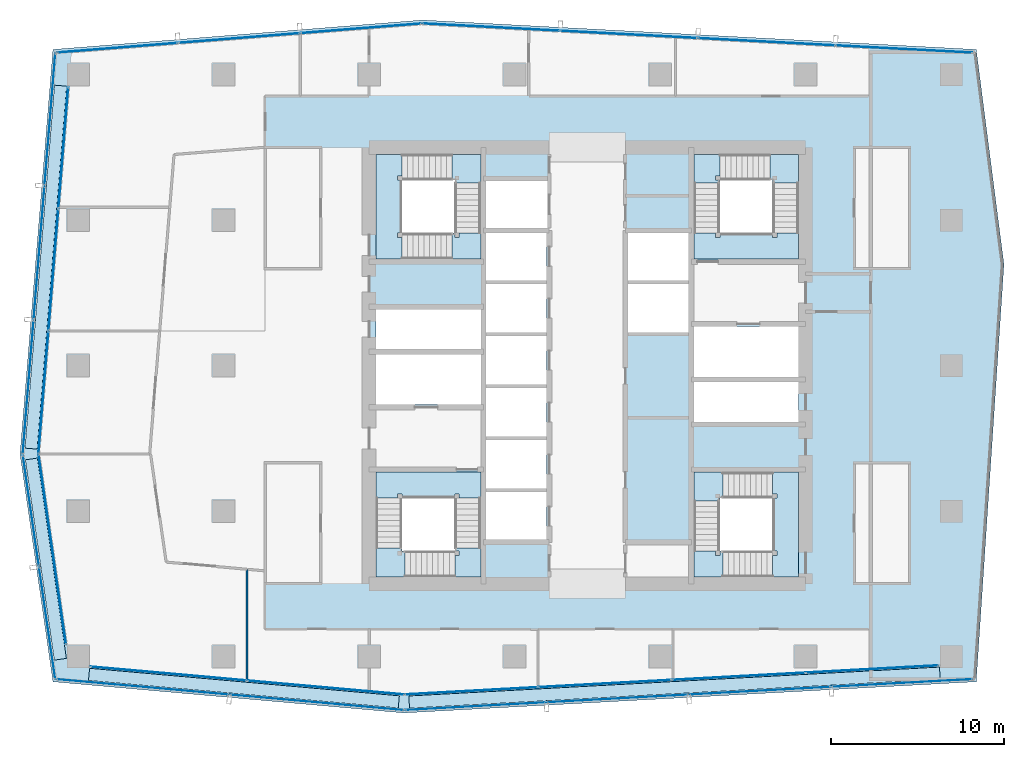
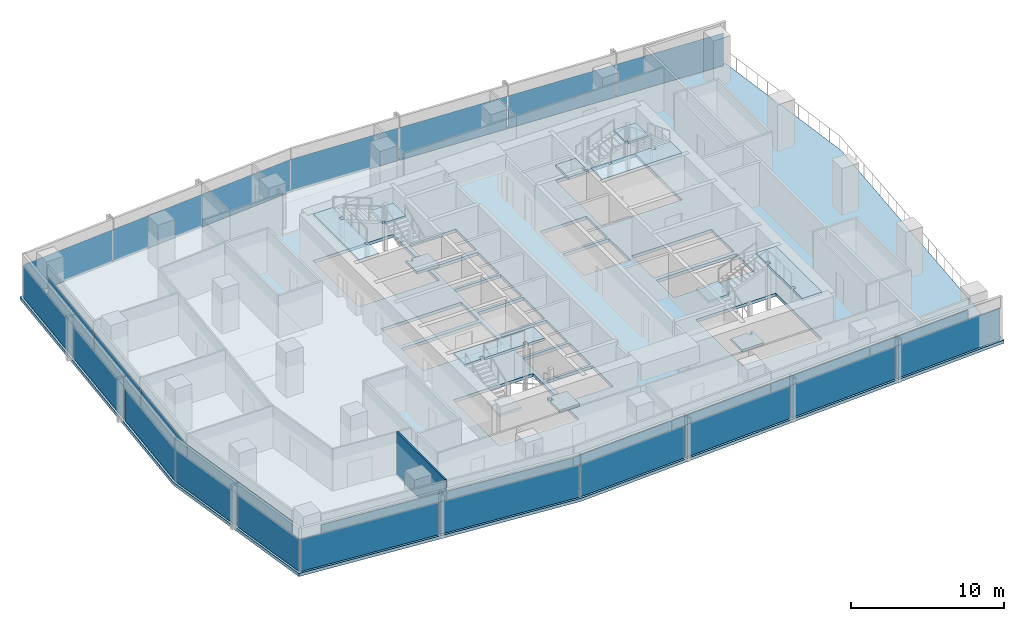
# One storey, part 18 of 26: 32 plates, 13 slabs, 1 wall, 14 elements without a shape of their own.
"""IFC4 building model written with IfcOpenShell, lengths in metres."""

import ifcopenshell
import ifcopenshell.guid

model = None  # the IFC model being written
_history = None  # IfcOwnerHistory: only IFC2X3 demands one
_inside = {}  # id of a spatial element -> (the spatial element, [elements in it])
_under = {}  # id of a project, library or spatial element -> (it, [spatial elements below it])
_declared = {}  # id of a project -> (the project, [libraries it declares])
_typed = {}  # id of a type object -> (the type object, [elements of that type])
_made_of = {}  # id of a material, layer set ... -> (it, [elements and type objects made of it])


def new_model(schema):
    """Start an empty IFC model of exactly this schema.

    Asked for "IFC4X3", IfcOpenShell would pick the latest addendum, in which some entities
    have other attributes; the version numbers below select the first issue.
    IFC2X3 requires an IfcOwnerHistory on every rooted entity: one is made here for all.
    """
    global model, _history
    if schema == "IFC4X3":
        model = ifcopenshell.file(schema_version=(4, 3, 0, 0))
    else:
        model = ifcopenshell.file(schema=schema)
    _inside.clear()
    _under.clear()
    _declared.clear()
    _typed.clear()
    _made_of.clear()
    _history = None
    if model.schema == "IFC2X3":
        org = make("IfcOrganization", Name="unknown")
        user = make(
            "IfcPersonAndOrganization",
            ThePerson=make("IfcPerson", FamilyName="unknown"),
            TheOrganization=org,
        )
        app = make(
            "IfcApplication",
            ApplicationDeveloper=org,
            Version="unknown",
            ApplicationFullName="unknown",
            ApplicationIdentifier="unknown",
        )
        _history = make(
            "IfcOwnerHistory",
            OwningUser=user,
            OwningApplication=app,
            ChangeAction="ADDED",
            CreationDate=0,
        )
    return model


def make(cls, **values):
    """One entity of the class cls with the attributes given. An attribute that is None is left unset."""
    return model.create_entity(
        cls, **{name: value for name, value in values.items() if value is not None}
    )


def rooted(cls, **values):
    """An entity with a GlobalId (a new one), such as an element, a storey or a relation."""
    return make(cls, GlobalId=ifcopenshell.guid.new(), OwnerHistory=_history, **values)


def si_unit(unit_type, name, prefix=None):
    """IfcSIUnit, for example si_unit("LENGTHUNIT", "METRE", prefix="MILLI")."""
    return make("IfcSIUnit", UnitType=unit_type, Prefix=prefix, Name=name)


def assignment(units):
    """IfcUnitAssignment: the units of a project."""
    return None if units is None else make("IfcUnitAssignment", Units=units)


def point(xyz):
    """IfcCartesianPoint."""
    return None if xyz is None else make("IfcCartesianPoint", Coordinates=xyz)


def direction(xyz):
    """IfcDirection."""
    return None if xyz is None else make("IfcDirection", DirectionRatios=xyz)


def frame(location, z_axis=None, x_axis=None):
    """IfcAxis2Placement3D, a coordinate frame: its origin and axes. An axis left out is left unset."""
    return make(
        "IfcAxis2Placement3D",
        Location=point(location),
        Axis=direction(z_axis),
        RefDirection=direction(x_axis),
    )


def frame_2d(location, x_axis=None):
    """IfcAxis2Placement2D, a coordinate frame in the plane: its origin and x axis."""
    return make(
        "IfcAxis2Placement2D", Location=point(location), RefDirection=direction(x_axis)
    )


def origin():
    """The frame at (0, 0, 0) with its axes left unset."""
    return frame((0.0, 0.0, 0.0))


def origin_2d():
    """The frame at (0, 0) in the plane with its x axis left unset."""
    return frame_2d((0.0, 0.0))


def place(relative_to, where):
    """IfcLocalPlacement: puts the frame where relative to a parent placement (None: the world)."""
    return make(
        "IfcLocalPlacement", PlacementRelTo=relative_to, RelativePlacement=where
    )


def context(
    kind, dimensions, precision=None, world=None, true_north=None, identifier=None
):
    """IfcGeometricRepresentationContext, for example the 3D "Model" context."""
    return make(
        "IfcGeometricRepresentationContext",
        ContextIdentifier=identifier,
        ContextType=kind,
        CoordinateSpaceDimension=dimensions,
        Precision=precision,
        WorldCoordinateSystem=world,
        TrueNorth=true_north,
    )


def subcontext(parent, identifier, kind, view, scale=None):
    """IfcGeometricRepresentationSubContext, for example "Body" below "Model"."""
    return make(
        "IfcGeometricRepresentationSubContext",
        ContextIdentifier=identifier,
        ContextType=kind,
        ParentContext=parent,
        TargetScale=scale,
        TargetView=view,
    )


def project(units=None, contexts=None):
    """IfcProject with its units and contexts."""
    return rooted(
        "IfcProject",
        Name="project",
        RepresentationContexts=contexts,
        UnitsInContext=assignment(units),
    )


def spatial(cls, under=None, at=None, **own):
    """A site, building, storey or space (cls), placed at a placement, below another one or the project."""
    s = rooted(cls, ObjectPlacement=at, **own)
    if under is not None:
        _under.setdefault(under.id(), (under, []))[1].append(s)
    return s


def polyline(points):
    """IfcPolyline through the points."""
    return make("IfcPolyline", Points=[point(p) for p in points])


def profile(cls, at=None, kind="AREA", **sizes):
    """A parametric profile (cls). Its sizes go by their IFC names, for example OverallWidth=200.0."""
    return make(cls, ProfileType=kind, Position=at, **sizes)


def rectangle(**sizes):
    """IfcRectangleProfileDef."""
    return profile("IfcRectangleProfileDef", **sizes)


def outline(outer, holes=None, kind="AREA"):
    """IfcArbitraryClosedProfileDef: a profile drawn as a closed curve; with holes, ...WithVoids."""
    if holes is None:
        return make("IfcArbitraryClosedProfileDef", ProfileType=kind, OuterCurve=outer)
    return make(
        "IfcArbitraryProfileDefWithVoids",
        ProfileType=kind,
        OuterCurve=outer,
        InnerCurves=holes,
    )


def extrude(swept, where, along, depth):
    """IfcExtrudedAreaSolid: the profile swept, set in the frame where, extruded along a direction by depth."""
    return make(
        "IfcExtrudedAreaSolid",
        SweptArea=swept,
        Position=where,
        ExtrudedDirection=direction(along),
        Depth=depth,
    )


def shape(context_of_items, identifier, shape_type, items):
    """IfcShapeRepresentation: the items that make up one representation, for example the "Body"."""
    return make(
        "IfcShapeRepresentation",
        ContextOfItems=context_of_items,
        RepresentationIdentifier=identifier,
        RepresentationType=shape_type,
        Items=items,
    )


def material(Name=None, Category=None):
    """IfcMaterial."""
    return make("IfcMaterial", Name=Name, Category=Category)


def layer(
    of_material, thickness, ventilated=None, Name=None, Category=None, Priority=None
):
    """IfcMaterialLayer: one layer of a wall or slab, of a material (None: an air gap)."""
    return make(
        "IfcMaterialLayer",
        Material=of_material,
        LayerThickness=thickness,
        IsVentilated=ventilated,
        Name=Name,
        Category=Category,
        Priority=Priority,
    )


def layer_set(layers, Name=None):
    """IfcMaterialLayerSet."""
    return make("IfcMaterialLayerSet", MaterialLayers=layers, LayerSetName=Name)


def made_of(thing, what):
    """Note that an element or type object is made of a material, layer set ...; save() writes the relation."""
    if what is not None:
        _made_of.setdefault(what.id(), (what, []))[1].append(thing)
    return thing


def type_object(cls, material=None, **own):
    """A type object (cls), such as IfcWallType, which elements share."""
    return made_of(rooted(cls, **own), material)


def element(
    cls,
    number,
    at=None,
    inside=None,
    cuts=None,
    type_object=None,
    material=None,
    context=None,
    identifier="Body",
    shape_type=None,
    held_by="IfcProductDefinitionShape",
    body=None,
    shapes=None,
    **own,
):
    """One element of the class cls, such as IfcWall. Its Tag is "e" and its number.

    at: its placement. inside: the storey or other place that contains it. cuts: it is an
    opening in that element (IfcRelVoidsElement). A single representation is given by context,
    identifier, shape_type and body (its items); several are given by shapes. held_by: the class
    of the entity that holds the representations. save() writes the other relations.
    """
    e = rooted(cls, Tag="e%d" % number, ObjectPlacement=at, **own)
    if body is not None:
        shapes = [shape(context, identifier, shape_type, body)]
    if shapes is not None:
        e.Representation = make(held_by, Representations=shapes)
    if inside is not None:
        _inside.setdefault(inside.id(), (inside, []))[1].append(e)
    if cuts is not None:
        rooted(
            "IfcRelVoidsElement", RelatingBuildingElement=cuts, RelatedOpeningElement=e
        )
    if type_object is not None:
        _typed.setdefault(type_object.id(), (type_object, []))[1].append(e)
    return made_of(e, material)


def aggregate(whole, parts):
    """IfcRelAggregates: a whole, such as a stair, and the parts it consists of."""
    return rooted("IfcRelAggregates", RelatingObject=whole, RelatedObjects=parts)


def save(model, path):
    """Write the relations noted so far, then the file.

    IfcRelAggregates (storeys below a building ...), IfcRelContainedInSpatialStructure (elements
    in a storey), IfcRelDefinesByType, IfcRelAssociatesMaterial and IfcRelDeclares: one each for
    every whole, place, type object, material and project.
    """
    for whole, parts in _under.values():
        aggregate(whole, parts)
    for where, things in _inside.values():
        rooted(
            "IfcRelContainedInSpatialStructure",
            RelatedElements=things,
            RelatingStructure=where,
        )
    for kind, things in _typed.values():
        rooted("IfcRelDefinesByType", RelatedObjects=things, RelatingType=kind)
    for what, things in _made_of.values():
        rooted("IfcRelAssociatesMaterial", RelatedObjects=things, RelatingMaterial=what)
    for by, libraries in _declared.values():
        rooted("IfcRelDeclares", RelatingContext=by, RelatedDefinitions=libraries)
    model.write(path)


model = new_model("IFC4")

# Units and contexts
model_context = context("Model", 3, precision=1e-05, world=origin(), true_north=direction((0.0, 1.0)))
body_context = subcontext(model_context, "Body", "Model", "MODEL_VIEW")
ifc_project = project(units=[si_unit("LENGTHUNIT", "METRE"), si_unit("AREAUNIT", "SQUARE_METRE"), si_unit("VOLUMEUNIT", "CUBIC_METRE"), si_unit("PLANEANGLEUNIT", "RADIAN"), si_unit("MASSUNIT", "GRAM", prefix="KILO")], contexts=[model_context])

# Site, building, storey
site_placement = place(None, origin())
site = spatial("IfcSite", under=ifc_project, at=site_placement, CompositionType="ELEMENT")
building_placement = place(site_placement, origin())
building = spatial("IfcBuilding", under=site, at=building_placement, Name="Rekha Terrace Tower", CompositionType="ELEMENT")
storey_placement = place(building_placement, frame((0.0, 0.0, 283.85009765625)))
storey = spatial("IfcBuildingStorey", under=building, at=storey_placement, Name="L72", CompositionType="ELEMENT", Elevation=283.85009765625)

# Curtain wall, plates
ifc_material_1 = material(Name="Aluminium framing", Category="aluminium")
curtain_wall_type_1 = type_object("IfcCurtainWallType", Name="CW1 double skin inner glazing", PredefinedType="USERDEFINED", material=ifc_material_1)
curtain_wall_1_placement = place(storey_placement, origin())
curtain_wall_1 = element("IfcCurtainWall", 1, at=curtain_wall_1_placement, inside=storey, type_object=curtain_wall_type_1, Name="CW1 double skin inner glazing", ObjectType="DOUBLE SKIN INNER GLAZING", PredefinedType="USERDEFINED")
ifc_material_2 = material(Name="Double-glazed low-e unit 32", Category="glass")
ifc_layer_1 = layer(ifc_material_2, 0.031982421875)
ifc_layer_set_1 = layer_set([ifc_layer_1], Name="Double-glazed low-e unit 32")
plate_type_1 = type_object("IfcPlateType", Name="CW1 jumbo vision panel, double-glazed low-e unit 32", PredefinedType="CURTAIN_PANEL", material=ifc_layer_set_1)
plate_1_placement = place(storey_placement, frame((13.62939453125, 15.820556640625, -0.000244140625), z_axis=(0.0, 0.0, 1.0), x_axis=(0.996074182663, -0.088522441405, 0.0)))
plate_1 = element("IfcPlate", 2, at=plate_1_placement, type_object=plate_type_1, Name="CW1 panel 1.1", PredefinedType="CURTAIN_PANEL", context=body_context, shape_type="SweptSolid", body=[
    extrude(rectangle(XDim=9.010986328125, YDim=0.031982421875, at=origin_2d()), origin(), (0.0, 0.0, 1.0), 2.60009765625),
])
plate_2_placement = place(storey_placement, frame((22.701904296875, 15.01416015625, -0.000244140625), z_axis=(0.0, 0.0, 1.0), x_axis=(0.996074182663, -0.088522441405, 0.0)))
plate_2 = element("IfcPlate", 3, at=plate_2_placement, type_object=plate_type_1, Name="CW1 panel 2.1", PredefinedType="CURTAIN_PANEL", context=body_context, shape_type="SweptSolid", body=[
    extrude(rectangle(XDim=9.075927734375, YDim=0.031982421875, at=origin_2d()), origin(), (0.0, 0.0, 1.0), 2.60009765625),
])
aggregate(curtain_wall_1, [plate_1, plate_2])

curtain_wall_2_placement = place(storey_placement, origin())
curtain_wall_2 = element("IfcCurtainWall", 4, at=curtain_wall_2_placement, inside=storey, type_object=curtain_wall_type_1, Name="CW1 double skin inner glazing", ObjectType="DOUBLE SKIN INNER GLAZING", PredefinedType="USERDEFINED")
plate_3_placement = place(storey_placement, frame((31.101318359375, 14.82373046875, -0.000244140625), z_axis=(0.0, 0.0, 1.0), x_axis=(0.998519828159, 0.054388903036, 0.0)))
plate_3 = element("IfcPlate", 5, at=plate_3_placement, type_object=plate_type_1, Name="CW1 panel 1.1", PredefinedType="CURTAIN_PANEL", context=body_context, shape_type="SweptSolid", body=[
    extrude(rectangle(XDim=7.6396484375, YDim=0.031982421875, at=origin_2d()), origin(), (0.0, 0.0, 1.0), 2.60009765625),
])
plate_4_placement = place(storey_placement, frame((38.810791015625, 15.243896484375, -0.000244140625), z_axis=(0.0, 0.0, 1.0), x_axis=(0.998519828159, 0.054388903036, 0.0)))
plate_4 = element("IfcPlate", 6, at=plate_4_placement, type_object=plate_type_1, Name="CW1 panel 2.1", PredefinedType="CURTAIN_PANEL", context=body_context, shape_type="SweptSolid", body=[
    extrude(rectangle(XDim=7.672119140625, YDim=0.031982421875, at=origin_2d()), origin(), (0.0, 0.0, 1.0), 2.60009765625),
])
plate_5_placement = place(storey_placement, frame((46.536376953125, 15.66455078125, -0.000244140625), z_axis=(0.0, 0.0, 1.0), x_axis=(0.998519828159, 0.054388903036, 0.0)))
plate_5 = element("IfcPlate", 7, at=plate_5_placement, type_object=plate_type_1, Name="CW1 panel 3.1", PredefinedType="CURTAIN_PANEL", context=body_context, shape_type="SweptSolid", body=[
    extrude(rectangle(XDim=7.672119140625, YDim=0.031982421875, at=origin_2d()), origin(), (0.0, 0.0, 1.0), 2.60009765625),
])
plate_6_placement = place(storey_placement, frame((54.245849609375, 16.08447265625, -0.000244140625), z_axis=(0.0, 0.0, 1.0), x_axis=(0.998519828159, 0.054388903036, 0.0)))
plate_6 = element("IfcPlate", 8, at=plate_6_placement, type_object=plate_type_1, Name="CW1 panel 4.1", PredefinedType="CURTAIN_PANEL", context=body_context, shape_type="SweptSolid", body=[
    extrude(rectangle(XDim=7.6396484375, YDim=0.031982421875, at=origin_2d()), origin(), (0.0, 0.0, 1.0), 2.60009765625),
])
aggregate(curtain_wall_2, [plate_3, plate_4, plate_5, plate_6])

curtain_wall_3_placement = place(storey_placement, origin())
curtain_wall_3 = element("IfcCurtainWall", 9, at=curtain_wall_3_placement, inside=storey, type_object=curtain_wall_type_1, Name="CW1 double skin inner glazing", ObjectType="DOUBLE SKIN INNER GLAZING", PredefinedType="USERDEFINED")
plate_7_placement = place(storey_placement, frame((7.5517578125, 46.173095703125, -0.000244140625), z_axis=(0.0, 0.0, 1.0), x_axis=(-0.081067906781, -0.996708580524, 0.0)))
plate_7 = element("IfcPlate", 10, at=plate_7_placement, type_object=plate_type_1, Name="CW1 panel 1.1", PredefinedType="CURTAIN_PANEL", context=body_context, shape_type="SweptSolid", body=[
    extrude(rectangle(XDim=6.9921875, YDim=0.031982421875, at=origin_2d()), origin(), (0.0, 0.0, 1.0), 2.60009765625),
])
plate_8_placement = place(storey_placement, frame((6.978271484375, 39.123046875, -0.000244140625), z_axis=(0.0, 0.0, 1.0), x_axis=(-0.081067906781, -0.996708580524, 0.0)))
plate_8 = element("IfcPlate", 11, at=plate_8_placement, type_object=plate_type_1, Name="CW1 panel 2.1", PredefinedType="CURTAIN_PANEL", context=body_context, shape_type="SweptSolid", body=[
    extrude(rectangle(XDim=7.024658203125, YDim=0.031982421875, at=origin_2d()), origin(), (0.0, 0.0, 1.0), 2.60009765625),
])
plate_9_placement = place(storey_placement, frame((6.40234375, 32.040283203125, -0.000244140625), z_axis=(0.0, 0.0, 1.0), x_axis=(-0.081067906781, -0.996708580524, 0.0)))
plate_9 = element("IfcPlate", 12, at=plate_9_placement, type_object=plate_type_1, Name="CW1 panel 3.1", PredefinedType="CURTAIN_PANEL", context=body_context, shape_type="SweptSolid", body=[
    extrude(rectangle(XDim=7.057373046875, YDim=0.031982421875, at=origin_2d()), origin(), (0.0, 0.0, 1.0), 2.60009765625),
])
aggregate(curtain_wall_3, [plate_7, plate_8, plate_9])

# Curtain wall, plate
curtain_wall_4_placement = place(storey_placement, origin())
curtain_wall_4 = element("IfcCurtainWall", 13, at=curtain_wall_4_placement, inside=storey, type_object=curtain_wall_type_1, Name="CW1 double skin inner glazing", ObjectType="DOUBLE SKIN INNER GLAZING", PredefinedType="USERDEFINED")
plate_10_placement = place(storey_placement, frame((6.915771484375, 22.994140625, -0.000244140625), z_axis=(0.0, 0.0, 1.0), x_axis=(0.143108322643, -0.989707031394, 0.0)))
plate_10 = element("IfcPlate", 14, at=plate_10_placement, type_object=plate_type_1, Name="CW1 panel 1.1", PredefinedType="CURTAIN_PANEL", context=body_context, shape_type="SweptSolid", body=[
    extrude(rectangle(XDim=11.043212890625, YDim=0.031982421875, at=origin_2d()), origin(), (0.0, 0.0, 1.0), 2.60009765625),
])
aggregate(curtain_wall_4, [plate_10])

# Curtain wall, plates
curtain_wall_type_2 = type_object("IfcCurtainWallType", Name="CW2 double skin outer glazing", PredefinedType="USERDEFINED", material=ifc_material_1)
curtain_wall_5_placement = place(storey_placement, origin())
curtain_wall_5 = element("IfcCurtainWall", 15, at=curtain_wall_5_placement, inside=storey, type_object=curtain_wall_type_2, Name="CW2 double skin outer glazing", ObjectType="DOUBLE SKIN OUTER GLAZING", PredefinedType="USERDEFINED")
ifc_material_3 = material(Name="Toughened single glazing 12", Category="glass")
ifc_layer_2 = layer(ifc_material_3, 0.011962890625)
ifc_layer_set_2 = layer_set([ifc_layer_2], Name="Toughened single glazing 12")
plate_type_2 = type_object("IfcPlateType", Name="CW2 jumbo vision panel, toughened single glazing 12", PredefinedType="CURTAIN_PANEL", material=ifc_layer_set_2)
plate_11_placement = place(storey_placement, frame((12.139404296875, 15.049560546875, -0.000244140625), z_axis=(0.0, 0.0, 1.0), x_axis=(0.996074182658, -0.088522441457, 0.0)))
plate_11 = element("IfcPlate", 16, at=plate_11_placement, type_object=plate_type_2, Name="CW2 panel 1.1", PredefinedType="CURTAIN_PANEL", context=body_context, shape_type="SweptSolid", body=[
    extrude(rectangle(XDim=9.977783203125, YDim=0.011962890625, at=origin_2d()), origin(), (0.0, 0.0, 1.0), 2.60009765625),
])
plate_12_placement = place(storey_placement, frame((22.197509765625, 14.155517578125, -0.000244140625), z_axis=(0.0, 0.0, 1.0), x_axis=(0.996074182658, -0.088522441457, 0.0)))
plate_12 = element("IfcPlate", 17, at=plate_12_placement, type_object=plate_type_2, Name="CW2 panel 2.1", PredefinedType="CURTAIN_PANEL", context=body_context, shape_type="SweptSolid", body=[
    extrude(rectangle(XDim=10.057861328125, YDim=0.011962890625, at=origin_2d()), origin(), (0.0, 0.0, 1.0), 2.60009765625),
])
aggregate(curtain_wall_5, [plate_11, plate_12])

curtain_wall_6_placement = place(storey_placement, origin())
curtain_wall_6 = element("IfcCurtainWall", 18, at=curtain_wall_6_placement, inside=storey, type_object=curtain_wall_type_2, Name="CW2 double skin outer glazing", ObjectType="DOUBLE SKIN OUTER GLAZING", PredefinedType="USERDEFINED")
plate_13_placement = place(storey_placement, frame((31.33837890625, 13.935546875, -0.000244140625), z_axis=(0.0, 0.0, 1.0), x_axis=(0.998519828157, 0.054388903071, 0.0)))
plate_13 = element("IfcPlate", 19, at=plate_13_placement, type_object=plate_type_2, Name="CW2 panel 1.1", PredefinedType="CURTAIN_PANEL", context=body_context, shape_type="SweptSolid", body=[
    extrude(rectangle(XDim=8.115478515625, YDim=0.011962890625, at=origin_2d()), origin(), (0.0, 0.0, 1.0), 2.60009765625),
])
plate_14_placement = place(storey_placement, frame((39.54150390625, 14.38232421875, -0.000244140625), z_axis=(0.0, 0.0, 1.0), x_axis=(0.998519828157, 0.054388903071, 0.0)))
plate_14 = element("IfcPlate", 20, at=plate_14_placement, type_object=plate_type_2, Name="CW2 panel 2.1", PredefinedType="CURTAIN_PANEL", context=body_context, shape_type="SweptSolid", body=[
    extrude(rectangle(XDim=8.155517578125, YDim=0.011962890625, at=origin_2d()), origin(), (0.0, 0.0, 1.0), 2.60009765625),
])
plate_15_placement = place(storey_placement, frame((47.764892578125, 14.830078125, -0.000244140625), z_axis=(0.0, 0.0, 1.0), x_axis=(0.998519828157, 0.054388903071, 0.0)))
plate_15 = element("IfcPlate", 21, at=plate_15_placement, type_object=plate_type_2, Name="CW2 panel 3.1", PredefinedType="CURTAIN_PANEL", context=body_context, shape_type="SweptSolid", body=[
    extrude(rectangle(XDim=8.155517578125, YDim=0.011962890625, at=origin_2d()), origin(), (0.0, 0.0, 1.0), 2.60009765625),
])
plate_16_placement = place(storey_placement, frame((55.96826171875, 15.277099609375, -0.000244140625), z_axis=(0.0, 0.0, 1.0), x_axis=(0.998519828157, 0.054388903071, 0.0)))
plate_16 = element("IfcPlate", 22, at=plate_16_placement, type_object=plate_type_2, Name="CW2 panel 4.1", PredefinedType="CURTAIN_PANEL", context=body_context, shape_type="SweptSolid", body=[
    extrude(rectangle(XDim=8.115478515625, YDim=0.011962890625, at=origin_2d()), origin(), (0.0, 0.0, 1.0), 2.60009765625),
])
aggregate(curtain_wall_6, [plate_13, plate_14, plate_15, plate_16])

curtain_wall_7_placement = place(storey_placement, origin())
curtain_wall_7 = element("IfcCurtainWall", 23, at=curtain_wall_7_placement, inside=storey, type_object=curtain_wall_type_2, Name="CW2 double skin outer glazing", ObjectType="DOUBLE SKIN OUTER GLAZING", PredefinedType="USERDEFINED")
plate_17_placement = place(storey_placement, frame((6.7822265625, 47.813720703125, -0.000244140625), z_axis=(0.0, 0.0, 1.0), x_axis=(-0.081067906816, -0.996708580521, 0.0)))
plate_17 = element("IfcPlate", 24, at=plate_17_placement, type_object=plate_type_2, Name="CW2 panel 1.1", PredefinedType="CURTAIN_PANEL", context=body_context, shape_type="SweptSolid", body=[
    extrude(rectangle(XDim=7.640869140625, YDim=0.011962890625, at=origin_2d()), origin(), (0.0, 0.0, 1.0), 2.60009765625),
])
plate_18_placement = place(storey_placement, frame((6.15478515625, 40.09814453125, -0.000244140625), z_axis=(0.0, 0.0, 1.0), x_axis=(-0.081067906816, -0.996708580521, 0.0)))
plate_18 = element("IfcPlate", 25, at=plate_18_placement, type_object=plate_type_2, Name="CW2 panel 2.1", PredefinedType="CURTAIN_PANEL", context=body_context, shape_type="SweptSolid", body=[
    extrude(rectangle(XDim=7.680908203125, YDim=0.011962890625, at=origin_2d()), origin(), (0.0, 0.0, 1.0), 2.60009765625),
])
plate_19_placement = place(storey_placement, frame((5.52392578125, 32.3427734375, -0.000244140625), z_axis=(0.0, 0.0, 1.0), x_axis=(-0.081067906816, -0.996708580521, 0.0)))
plate_19 = element("IfcPlate", 26, at=plate_19_placement, type_object=plate_type_2, Name="CW2 panel 3.1", PredefinedType="CURTAIN_PANEL", context=body_context, shape_type="SweptSolid", body=[
    extrude(rectangle(XDim=7.720947265625, YDim=0.011962890625, at=origin_2d()), origin(), (0.0, 0.0, 1.0), 2.60009765625),
])
aggregate(curtain_wall_7, [plate_17, plate_18, plate_19])

curtain_wall_8_placement = place(storey_placement, origin())
curtain_wall_8 = element("IfcCurtainWall", 27, at=curtain_wall_8_placement, inside=storey, type_object=curtain_wall_type_2, Name="CW2 double skin outer glazing", ObjectType="DOUBLE SKIN OUTER GLAZING", PredefinedType="USERDEFINED")
plate_20_placement = place(storey_placement, frame((5.68359375, 25.22607421875, -0.000244140625), z_axis=(0.0, 0.0, 1.0), x_axis=(0.143108322678, -0.989707031389, 0.0)))
plate_20 = element("IfcPlate", 28, at=plate_20_placement, type_object=plate_type_2, Name="CW2 panel 1.1", PredefinedType="CURTAIN_PANEL", context=body_context, shape_type="SweptSolid", body=[
    extrude(rectangle(XDim=6.446044921875, YDim=0.011962890625, at=origin_2d()), origin(), (0.0, 0.0, 1.0), 2.60009765625),
])
plate_21_placement = place(storey_placement, frame((6.623291015625, 18.7275390625, -0.000244140625), z_axis=(0.0, 0.0, 1.0), x_axis=(0.143108322678, -0.989707031389, 0.0)))
plate_21 = element("IfcPlate", 29, at=plate_21_placement, type_object=plate_type_2, Name="CW2 panel 2.1", PredefinedType="CURTAIN_PANEL", context=body_context, shape_type="SweptSolid", body=[
    extrude(rectangle(XDim=6.526123046875, YDim=0.011962890625, at=origin_2d()), origin(), (0.0, 0.0, 1.0), 2.60009765625),
])
aggregate(curtain_wall_8, [plate_20, plate_21])

curtain_wall_type_3 = type_object("IfcCurtainWallType", Name="CW3 north unitised glazing", PredefinedType="USERDEFINED", material=ifc_material_1)
curtain_wall_9_placement = place(storey_placement, origin())
curtain_wall_9 = element("IfcCurtainWall", 30, at=curtain_wall_9_placement, inside=storey, type_object=curtain_wall_type_3, Name="CW3 unitised curtain wall", ObjectType="UNITISED CURTAIN WALL", PredefinedType="USERDEFINED")
ifc_material_4 = material(Name="Double-glazed unit 28", Category="glass")
ifc_layer_3 = layer(ifc_material_4, 0.028076171875)
ifc_layer_set_3 = layer_set([ifc_layer_3], Name="Double-glazed unit 28")
plate_type_3 = type_object("IfcPlateType", Name="CW3 jumbo vision panel, double-glazed unit 28", PredefinedType="CURTAIN_PANEL", material=ifc_layer_set_3)
plate_22_placement = place(storey_placement, frame((56.080322265625, 51.871337890625, -0.000244140625), z_axis=(0.0, 0.0, 1.0), x_axis=(-0.998590089005, 0.053083275524, 0.0)))
plate_22 = element("IfcPlate", 31, at=plate_22_placement, type_object=plate_type_3, Name="CW3 panel 1.1", PredefinedType="CURTAIN_PANEL", context=body_context, shape_type="SweptSolid", body=[
    extrude(rectangle(XDim=7.856201171875, YDim=0.028076171875, at=origin_2d()), origin(), (0.0, 0.0, 1.0), 2.60009765625),
])
plate_23_placement = place(storey_placement, frame((48.14794921875, 52.29296875, -0.000244140625), z_axis=(0.0, 0.0, 1.0), x_axis=(-0.998590089005, 0.053083275524, 0.0)))
plate_23 = element("IfcPlate", 32, at=plate_23_placement, type_object=plate_type_3, Name="CW3 panel 2.1", PredefinedType="CURTAIN_PANEL", context=body_context, shape_type="SweptSolid", body=[
    extrude(rectangle(XDim=7.891357421875, YDim=0.028076171875, at=origin_2d()), origin(), (0.0, 0.0, 1.0), 2.60009765625),
])
plate_24_placement = place(storey_placement, frame((40.19775390625, 52.715576171875, -0.000244140625), z_axis=(0.0, 0.0, 1.0), x_axis=(-0.998590089005, 0.053083275524, 0.0)))
plate_24 = element("IfcPlate", 33, at=plate_24_placement, type_object=plate_type_3, Name="CW3 panel 3.1", PredefinedType="CURTAIN_PANEL", context=body_context, shape_type="SweptSolid", body=[
    extrude(rectangle(XDim=7.891357421875, YDim=0.028076171875, at=origin_2d()), origin(), (0.0, 0.0, 1.0), 2.60009765625),
])
plate_25_placement = place(storey_placement, frame((32.230224609375, 53.13916015625, -0.000244140625), z_axis=(0.0, 0.0, 1.0), x_axis=(-0.998590089005, 0.053083275524, 0.0)))
plate_25 = element("IfcPlate", 34, at=plate_25_placement, type_object=plate_type_3, Name="CW3 panel 4.1", PredefinedType="CURTAIN_PANEL", context=body_context, shape_type="SweptSolid", body=[
    extrude(rectangle(XDim=7.92626953125, YDim=0.028076171875, at=origin_2d()), origin(), (0.0, 0.0, 1.0), 2.60009765625),
])
aggregate(curtain_wall_9, [plate_22, plate_23, plate_24, plate_25])

curtain_wall_10_placement = place(storey_placement, origin())
curtain_wall_10 = element("IfcCurtainWall", 35, at=curtain_wall_10_placement, inside=storey, type_object=curtain_wall_type_3, Name="CW3 unitised curtain wall", ObjectType="UNITISED CURTAIN WALL", PredefinedType="USERDEFINED")
plate_26_placement = place(storey_placement, frame((24.732421875, 53.0673828125, -0.000244140625), z_axis=(0.0, 0.0, 1.0), x_axis=(-0.996836058026, -0.07948505154, 0.0)))
plate_26 = element("IfcPlate", 36, at=plate_26_placement, type_object=plate_type_3, Name="CW3 panel 1.1", PredefinedType="CURTAIN_PANEL", context=body_context, shape_type="SweptSolid", body=[
    extrude(rectangle(XDim=6.963134765625, YDim=0.028076171875, at=origin_2d()), origin(), (0.0, 0.0, 1.0), 2.60009765625),
])
plate_27_placement = place(storey_placement, frame((17.7041015625, 52.5068359375, -0.000244140625), z_axis=(0.0, 0.0, 1.0), x_axis=(-0.996836058026, -0.07948505154, 0.0)))
plate_27 = element("IfcPlate", 37, at=plate_27_placement, type_object=plate_type_3, Name="CW3 panel 2.1", PredefinedType="CURTAIN_PANEL", context=body_context, shape_type="SweptSolid", body=[
    extrude(rectangle(XDim=6.998046875, YDim=0.028076171875, at=origin_2d()), origin(), (0.0, 0.0, 1.0), 2.60009765625),
])
plate_28_placement = place(storey_placement, frame((10.67578125, 51.946533203125, -0.000244140625), z_axis=(0.0, 0.0, 1.0), x_axis=(-0.996836058026, -0.07948505154, 0.0)))
plate_28 = element("IfcPlate", 38, at=plate_28_placement, type_object=plate_type_3, Name="CW3 panel 3.1", PredefinedType="CURTAIN_PANEL", context=body_context, shape_type="SweptSolid", body=[
    extrude(rectangle(XDim=6.963134765625, YDim=0.028076171875, at=origin_2d()), origin(), (0.0, 0.0, 1.0), 2.60009765625),
])
aggregate(curtain_wall_10, [plate_26, plate_27, plate_28])

# Plates
ifc_material_5 = material(Name="Galvanised steel open grating", Category="steel")
ifc_layer_4 = layer(ifc_material_5, 0.050048828125)
ifc_layer_set_4 = layer_set([ifc_layer_4], Name="Galvanised steel open grating")
plate_type_4 = type_object("IfcPlateType", Name="GT1 cavity walkway grating 50", PredefinedType="USERDEFINED", material=ifc_layer_set_4)
plate_29_placement = place(storey_placement, frame((17.974853515625, 14.982666015625, 0.0), z_axis=(0.0, 0.0, 1.0), x_axis=(0.99607418266, -0.08852244144, 0.0)))
element("IfcPlate", 39, at=plate_29_placement, inside=storey, type_object=plate_type_4, Name="Cavity walkway grating", ObjectType="CAVITY WALKWAY GRATING", PredefinedType="USERDEFINED", context=body_context, shape_type="SweptSolid", body=[
    extrude(rectangle(XDim=17.9521484375, YDim=0.705078125, at=origin_2d()), origin(), (0.0, 0.0, 1.0), 0.050048828125),
])
plate_30_placement = place(storey_placement, frame((42.830322265625, 15.011962890625, 0.0), z_axis=(0.0, 0.0, 1.0), x_axis=(0.998519828157, 0.054388903071, 0.0)))
element("IfcPlate", 40, at=plate_30_placement, inside=storey, type_object=plate_type_4, Name="Cavity walkway grating", ObjectType="CAVITY WALKWAY GRATING", PredefinedType="USERDEFINED", context=body_context, shape_type="SweptSolid", body=[
    extrude(rectangle(XDim=30.677978515625, YDim=0.705078125, at=origin_2d()), origin(), (0.0, 0.0, 1.0), 0.050048828125),
])
plate_31_placement = place(storey_placement, frame((6.5400390625, 39.28369140625, 0.0), z_axis=(0.0, 0.0, 1.0), x_axis=(-0.081067906798, -0.996708580523, 0.0)))
element("IfcPlate", 41, at=plate_31_placement, inside=storey, type_object=plate_type_4, Name="Cavity walkway grating", ObjectType="CAVITY WALKWAY GRATING", PredefinedType="USERDEFINED", context=body_context, shape_type="SweptSolid", body=[
    extrude(rectangle(XDim=21.02001953125, YDim=0.705078125, at=origin_2d()), origin(), (0.0, 0.0, 1.0), 0.050048828125),
])
plate_32_placement = place(storey_placement, frame((6.54248046875, 22.4306640625, 0.0), z_axis=(0.0, 0.0, 1.0), x_axis=(0.143108322643, -0.989707031394, 0.0)))
element("IfcPlate", 42, at=plate_32_placement, inside=storey, type_object=plate_type_4, Name="Cavity walkway grating", ObjectType="CAVITY WALKWAY GRATING", PredefinedType="USERDEFINED", context=body_context, shape_type="SweptSolid", body=[
    extrude(rectangle(XDim=11.68310546875, YDim=0.705078125, at=origin_2d()), origin(), (0.0, 0.0, 1.0), 0.050048828125),
])

# Stair, slabs
ifc_material_6 = material(Name="Concrete M40", Category="concrete")
stair_type = type_object("IfcStairType", Name="ST30 stair, 30 risers of 125, going 320, 1500 wide flights, 3 flights", PredefinedType="HALF_TURN_STAIR", material=ifc_material_6)
stair_1_placement = place(storey_placement, origin())
stair_1 = element("IfcStair", 43, at=stair_1_placement, inside=storey, type_object=stair_type, Name="Stair ST1 L72 to L73", PredefinedType="HALF_TURN_STAIR")
ifc_layer_5 = layer(ifc_material_6, 0.199951171875)
ifc_layer_set_5 = layer_set([ifc_layer_5], Name="Concrete M40")
slab_type_1 = type_object("IfcSlabType", Name="LD1 200 concrete stair landing", PredefinedType="LANDING", material=ifc_layer_set_5)
slab_1_placement = place(storey_placement, frame((0.0, 0.0, 1.0498046875)))
slab_1 = element("IfcSlab", 44, at=slab_1_placement, type_object=slab_type_1, Name="ST1 landing 1", PredefinedType="LANDING", context=body_context, shape_type="SweptSolid", body=[
    extrude(outline(polyline([(30.14990234375, 21.39990234375), (31.64990234375, 21.39990234375), (31.64990234375, 23.070068359375), (30.14990234375, 23.070068359375), (30.14990234375, 22.89990234375), (30.39990234375, 22.89990234375), (30.39990234375, 22.64990234375), (30.14990234375, 22.64990234375), (30.14990234375, 21.39990234375)])), origin(), (0.0, 0.0, 1.0), 0.2001953125),
])
slab_2_placement = place(storey_placement, frame((0.0, 0.0, 2.2998046875)))
slab_2 = element("IfcSlab", 45, at=slab_2_placement, type_object=slab_type_1, Name="ST1 landing 2", PredefinedType="LANDING", context=body_context, shape_type="SweptSolid", body=[
    extrude(outline(polyline([(27.10009765625, 23.070068359375), (25.60009765625, 23.070068359375), (25.60009765625, 21.39990234375), (27.27001953125, 21.39990234375), (27.27001953125, 22.89990234375), (27.10009765625, 22.89990234375), (27.10009765625, 23.070068359375)])), origin(), (0.0, 0.0, 1.0), 0.2001953125),
])
slab_3_placement = place(storey_placement, frame((0.0, 0.0, 3.5498046875)))
slab_3 = element("IfcSlab", 46, at=slab_3_placement, type_object=slab_type_1, Name="ST1 landing 3", PredefinedType="LANDING", context=body_context, shape_type="SweptSolid", body=[
    extrude(outline(polyline([(31.64990234375, 25.949951171875), (31.64990234375, 27.449951171875), (25.60009765625, 27.449951171875), (25.60009765625, 25.949951171875), (26.85009765625, 25.949951171875), (26.85009765625, 26.199951171875), (27.10009765625, 26.199951171875), (27.10009765625, 25.949951171875), (30.14990234375, 25.949951171875), (30.14990234375, 26.199951171875), (30.39990234375, 26.199951171875), (30.39990234375, 25.949951171875), (31.64990234375, 25.949951171875)])), origin(), (0.0, 0.0, 1.0), 0.2001953125),
])
aggregate(stair_1, [slab_1, slab_2, slab_3])

stair_2_placement = place(storey_placement, origin())
stair_2 = element("IfcStair", 47, at=stair_2_placement, inside=storey, type_object=stair_type, Name="Stair ST2 L72 to L73", PredefinedType="HALF_TURN_STAIR")
slab_4_placement = place(storey_placement, frame((0.0, 0.0, 1.0498046875)))
slab_4 = element("IfcSlab", 48, at=slab_4_placement, type_object=slab_type_1, Name="ST2 landing 1", PredefinedType="LANDING", context=body_context, shape_type="SweptSolid", body=[
    extrude(outline(polyline([(45.449951171875, 45.800048828125), (43.949951171875, 45.800048828125), (43.949951171875, 44.1298828125), (45.449951171875, 44.1298828125), (45.449951171875, 44.300048828125), (45.199951171875, 44.300048828125), (45.199951171875, 44.550048828125), (45.449951171875, 44.550048828125), (45.449951171875, 45.800048828125)])), origin(), (0.0, 0.0, 1.0), 0.2001953125),
])
slab_5_placement = place(storey_placement, frame((0.0, 0.0, 2.2998046875)))
slab_5 = element("IfcSlab", 49, at=slab_5_placement, type_object=slab_type_1, Name="ST2 landing 2", PredefinedType="LANDING", context=body_context, shape_type="SweptSolid", body=[
    extrude(outline(polyline([(48.5, 44.1298828125), (50.0, 44.1298828125), (50.0, 45.800048828125), (48.330078125, 45.800048828125), (48.330078125, 44.300048828125), (48.5, 44.300048828125), (48.5, 44.1298828125)])), origin(), (0.0, 0.0, 1.0), 0.2001953125),
])
slab_6_placement = place(storey_placement, frame((0.0, 0.0, 3.5498046875)))
slab_6 = element("IfcSlab", 50, at=slab_6_placement, type_object=slab_type_1, Name="ST2 landing 3", PredefinedType="LANDING", context=body_context, shape_type="SweptSolid", body=[
    extrude(outline(polyline([(43.949951171875, 41.25), (43.949951171875, 39.75), (50.0, 39.75), (50.0, 41.25), (48.75, 41.25), (48.75, 41.0), (48.5, 41.0), (48.5, 41.25), (45.449951171875, 41.25), (45.449951171875, 41.0), (45.199951171875, 41.0), (45.199951171875, 41.25), (43.949951171875, 41.25)])), origin(), (0.0, 0.0, 1.0), 0.2001953125),
])
aggregate(stair_2, [slab_4, slab_5, slab_6])

stair_3_placement = place(storey_placement, origin())
stair_3 = element("IfcStair", 51, at=stair_3_placement, inside=storey, type_object=stair_type, Name="Stair ST3 L72 to L73", PredefinedType="HALF_TURN_STAIR")
slab_7_placement = place(storey_placement, frame((0.0, 0.0, 1.0498046875)))
slab_7 = element("IfcSlab", 52, at=slab_7_placement, type_object=slab_type_1, Name="ST3 landing 1", PredefinedType="LANDING", context=body_context, shape_type="SweptSolid", body=[
    extrude(outline(polyline([(43.949951171875, 22.89990234375), (43.949951171875, 21.39990234375), (45.6201171875, 21.39990234375), (45.6201171875, 22.89990234375), (45.449951171875, 22.89990234375), (45.449951171875, 22.64990234375), (45.199951171875, 22.64990234375), (45.199951171875, 22.89990234375), (43.949951171875, 22.89990234375)])), origin(), (0.0, 0.0, 1.0), 0.2001953125),
])
slab_8_placement = place(storey_placement, frame((0.0, 0.0, 2.2998046875)))
slab_8 = element("IfcSlab", 53, at=slab_8_placement, type_object=slab_type_1, Name="ST3 landing 2", PredefinedType="LANDING", context=body_context, shape_type="SweptSolid", body=[
    extrude(outline(polyline([(45.6201171875, 25.949951171875), (45.6201171875, 27.449951171875), (43.949951171875, 27.449951171875), (43.949951171875, 25.780029296875), (45.449951171875, 25.780029296875), (45.449951171875, 25.949951171875), (45.6201171875, 25.949951171875)])), origin(), (0.0, 0.0, 1.0), 0.2001953125),
])
slab_9_placement = place(storey_placement, frame((0.0, 0.0, 3.5498046875)))
slab_9 = element("IfcSlab", 54, at=slab_9_placement, type_object=slab_type_1, Name="ST3 landing 3", PredefinedType="LANDING", context=body_context, shape_type="SweptSolid", body=[
    extrude(outline(polyline([(48.5, 21.39990234375), (50.0, 21.39990234375), (50.0, 27.449951171875), (48.5, 27.449951171875), (48.5, 26.199951171875), (48.75, 26.199951171875), (48.75, 25.949951171875), (48.5, 25.949951171875), (48.5, 22.89990234375), (48.75, 22.89990234375), (48.75, 22.64990234375), (48.5, 22.64990234375), (48.5, 21.39990234375)])), origin(), (0.0, 0.0, 1.0), 0.2001953125),
])
aggregate(stair_3, [slab_7, slab_8, slab_9])

stair_4_placement = place(storey_placement, origin())
stair_4 = element("IfcStair", 55, at=stair_4_placement, inside=storey, type_object=stair_type, Name="Stair ST4 L72 to L73", PredefinedType="HALF_TURN_STAIR")
slab_10_placement = place(storey_placement, frame((0.0, 0.0, 1.0498046875)))
slab_10 = element("IfcSlab", 56, at=slab_10_placement, type_object=slab_type_1, Name="ST4 landing 1", PredefinedType="LANDING", context=body_context, shape_type="SweptSolid", body=[
    extrude(outline(polyline([(31.64990234375, 41.25), (31.64990234375, 39.75), (29.97998046875, 39.75), (29.97998046875, 41.25), (30.14990234375, 41.25), (30.14990234375, 41.0), (30.39990234375, 41.0), (30.39990234375, 41.25), (31.64990234375, 41.25)])), origin(), (0.0, 0.0, 1.0), 0.2001953125),
])
slab_11_placement = place(storey_placement, frame((0.0, 0.0, 2.2998046875)))
slab_11 = element("IfcSlab", 57, at=slab_11_placement, type_object=slab_type_1, Name="ST4 landing 2", PredefinedType="LANDING", context=body_context, shape_type="SweptSolid", body=[
    extrude(outline(polyline([(29.97998046875, 44.300048828125), (29.97998046875, 45.800048828125), (31.64990234375, 45.800048828125), (31.64990234375, 44.1298828125), (30.14990234375, 44.1298828125), (30.14990234375, 44.300048828125), (29.97998046875, 44.300048828125)])), origin(), (0.0, 0.0, 1.0), 0.2001953125),
])
slab_12_placement = place(storey_placement, frame((0.0, 0.0, 3.5498046875)))
slab_12 = element("IfcSlab", 58, at=slab_12_placement, type_object=slab_type_1, Name="ST4 landing 3", PredefinedType="LANDING", context=body_context, shape_type="SweptSolid", body=[
    extrude(outline(polyline([(27.10009765625, 39.75), (25.60009765625, 39.75), (25.60009765625, 45.800048828125), (27.10009765625, 45.800048828125), (27.10009765625, 44.550048828125), (26.85009765625, 44.550048828125), (26.85009765625, 44.300048828125), (27.10009765625, 44.300048828125), (27.10009765625, 41.25), (26.85009765625, 41.25), (26.85009765625, 41.0), (27.10009765625, 41.0), (27.10009765625, 39.75)])), origin(), (0.0, 0.0, 1.0), 0.2001953125),
])
aggregate(stair_4, [slab_10, slab_11, slab_12])

# Slab
ifc_material_7 = material(Name="Concrete M50", Category="concrete")
ifc_layer_6 = layer(ifc_material_7, 0.25)
ifc_layer_set_6 = layer_set([ifc_layer_6], Name="Concrete M50")
slab_type_2 = type_object("IfcSlabType", Name="SL4 250 post-tensioned flat plate", PredefinedType="FLOOR", material=ifc_layer_set_6)
slab_13_placement = place(storey_placement, frame((0.0, 0.0, -0.25)))
element("IfcSlab", 59, at=slab_13_placement, inside=storey, type_object=slab_type_2, Name="Post-tensioned flat plate L72", PredefinedType="FLOOR", context=body_context, shape_type="SweptSolid", body=[
    extrude(outline(polyline([(5.050048828125, 28.489990234375), (6.949951171875, 15.35009765625), (27.2041015625, 13.550048828125), (60.25, 15.35009765625), (61.85009765625, 39.43994140625), (60.25, 51.85009765625), (28.27001953125, 53.550048828125), (6.949951171875, 51.85009765625), (5.050048828125, 28.489990234375)]), holes=[polyline([(31.64990234375, 27.449951171875), (31.64990234375, 21.39990234375), (25.60009765625, 21.39990234375), (25.60009765625, 27.449951171875), (31.64990234375, 27.449951171875)]), polyline([(35.449951171875, 26.300048828125), (35.449951171875, 23.550048828125), (31.949951171875, 23.550048828125), (31.949951171875, 26.300048828125), (35.449951171875, 26.300048828125)]), polyline([(35.449951171875, 29.300048828125), (35.449951171875, 26.5), (31.949951171875, 26.5), (31.949951171875, 29.300048828125), (35.449951171875, 29.300048828125)]), polyline([(35.449951171875, 32.300048828125), (35.449951171875, 29.5), (31.949951171875, 29.5), (31.949951171875, 32.300048828125), (35.449951171875, 32.300048828125)]), polyline([(31.64990234375, 34.25), (31.64990234375, 31.35009765625), (25.60009765625, 31.35009765625), (25.60009765625, 34.25), (31.64990234375, 34.25)]), polyline([(35.449951171875, 35.300048828125), (35.449951171875, 32.5), (31.949951171875, 32.5), (31.949951171875, 35.300048828125), (35.449951171875, 35.300048828125)]), polyline([(31.64990234375, 36.85009765625), (31.64990234375, 34.550048828125), (25.60009765625, 34.550048828125), (25.60009765625, 36.85009765625), (31.64990234375, 36.85009765625)]), polyline([(35.449951171875, 38.300048828125), (35.449951171875, 35.5), (31.949951171875, 35.5), (31.949951171875, 38.300048828125), (35.449951171875, 38.300048828125)]), polyline([(31.64990234375, 45.800048828125), (31.64990234375, 39.75), (25.60009765625, 39.75), (25.60009765625, 45.800048828125), (31.64990234375, 45.800048828125)]), polyline([(50.0, 27.449951171875), (50.0, 21.39990234375), (43.949951171875, 21.39990234375), (43.949951171875, 27.449951171875), (50.0, 27.449951171875)]), polyline([(50.0, 32.64990234375), (50.0, 30.35009765625), (43.949951171875, 30.35009765625), (43.949951171875, 32.64990234375), (50.0, 32.64990234375)]), polyline([(50.0, 35.85009765625), (50.0, 32.949951171875), (43.949951171875, 32.949951171875), (43.949951171875, 35.85009765625), (50.0, 35.85009765625)]), polyline([(43.64990234375, 38.300048828125), (43.64990234375, 35.5), (40.14990234375, 35.5), (40.14990234375, 38.300048828125), (43.64990234375, 38.300048828125)]), polyline([(35.449951171875, 41.25), (35.449951171875, 38.5), (31.949951171875, 38.5), (31.949951171875, 41.25), (35.449951171875, 41.25)]), polyline([(43.64990234375, 41.25), (43.64990234375, 38.5), (40.14990234375, 38.5), (40.14990234375, 41.25), (43.64990234375, 41.25)]), polyline([(50.0, 39.75), (43.949951171875, 39.75), (43.949951171875, 45.800048828125), (50.0, 45.800048828125), (50.0, 39.75)]), polyline([(35.5, 41.550048828125), (31.949951171875, 41.550048828125), (31.949951171875, 44.25), (35.5, 44.25), (35.5, 41.550048828125)])]), origin(), (0.0, 0.0, 1.0), 0.25),
])

# Wall
ifc_material_8 = material(Name="Two layers of fire-rated gypsum board each side on steel studs, acoustic quilt, 1 hour", Category="steel")
ifc_layer_7 = layer(ifc_material_8, 0.125)
ifc_layer_set_7 = layer_set([ifc_layer_7], Name="Two layers of fire-rated gypsum board each side on steel studs, acoustic quilt, 1 hour")
wall_type = type_object("IfcWallType", Name="WP3 125 office partition", PredefinedType="PARTITIONING", material=ifc_layer_set_7)
wall_placement = place(storey_placement, frame((18.14892578125, 21.844970703125, 0.0), z_axis=(0.0, 0.0, 1.0), x_axis=(0.0, -1.0, 0.0)))
element("IfcWall", 60, at=wall_placement, inside=storey, type_object=wall_type, Name="Partition L72-09", PredefinedType="PARTITIONING", context=body_context, shape_type="SweptSolid", body=[
    extrude(rectangle(XDim=6.344970703125, YDim=0.125, at=frame_2d((3.17236328125, 0.0))), origin(), (0.0, 0.0, 1.0), 3.5),
])

save(model, "model.ifc")
